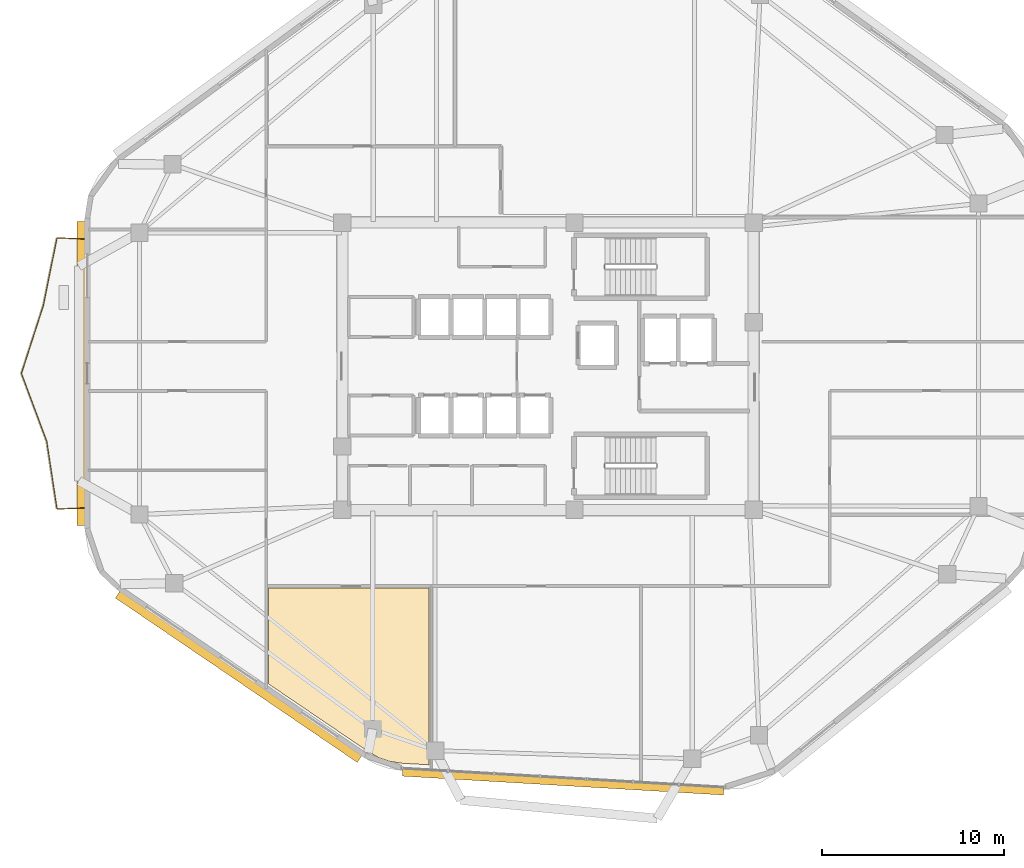
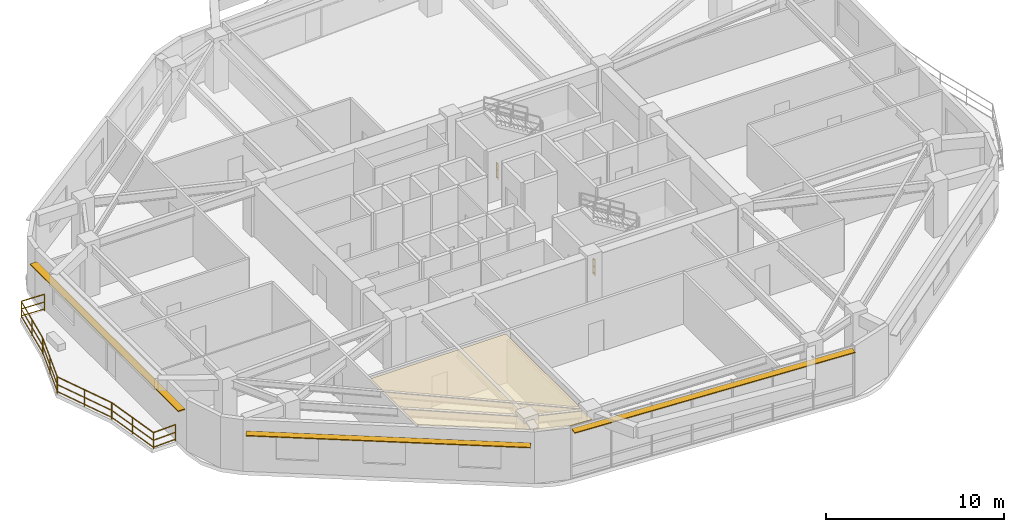
# One storey, part 12 of 14: 8 railings, 3 shading devices, 1 covering.
"""IFC4 building model written with IfcOpenShell, lengths in metres."""

import ifcopenshell
import ifcopenshell.guid

model = None  # the IFC model being written
_history = None  # IfcOwnerHistory: only IFC2X3 demands one
_inside = {}  # id of a spatial element -> (the spatial element, [elements in it])
_under = {}  # id of a project, library or spatial element -> (it, [spatial elements below it])
_declared = {}  # id of a project -> (the project, [libraries it declares])
_typed = {}  # id of a type object -> (the type object, [elements of that type])
_made_of = {}  # id of a material, layer set ... -> (it, [elements and type objects made of it])


def new_model(schema):
    """Start an empty IFC model of exactly this schema.

    Asked for "IFC4X3", IfcOpenShell would pick the latest addendum, in which some entities
    have other attributes; the version numbers below select the first issue.
    IFC2X3 requires an IfcOwnerHistory on every rooted entity: one is made here for all.
    """
    global model, _history
    if schema == "IFC4X3":
        model = ifcopenshell.file(schema_version=(4, 3, 0, 0))
    else:
        model = ifcopenshell.file(schema=schema)
    _inside.clear()
    _under.clear()
    _declared.clear()
    _typed.clear()
    _made_of.clear()
    _history = None
    if model.schema == "IFC2X3":
        org = make("IfcOrganization", Name="unknown")
        user = make(
            "IfcPersonAndOrganization",
            ThePerson=make("IfcPerson", FamilyName="unknown"),
            TheOrganization=org,
        )
        app = make(
            "IfcApplication",
            ApplicationDeveloper=org,
            Version="unknown",
            ApplicationFullName="unknown",
            ApplicationIdentifier="unknown",
        )
        _history = make(
            "IfcOwnerHistory",
            OwningUser=user,
            OwningApplication=app,
            ChangeAction="ADDED",
            CreationDate=0,
        )
    return model


def make(cls, **values):
    """One entity of the class cls with the attributes given. An attribute that is None is left unset."""
    return model.create_entity(
        cls, **{name: value for name, value in values.items() if value is not None}
    )


def rooted(cls, **values):
    """An entity with a GlobalId (a new one), such as an element, a storey or a relation."""
    return make(cls, GlobalId=ifcopenshell.guid.new(), OwnerHistory=_history, **values)


def si_unit(unit_type, name, prefix=None):
    """IfcSIUnit, for example si_unit("LENGTHUNIT", "METRE", prefix="MILLI")."""
    return make("IfcSIUnit", UnitType=unit_type, Prefix=prefix, Name=name)


def assignment(units):
    """IfcUnitAssignment: the units of a project."""
    return None if units is None else make("IfcUnitAssignment", Units=units)


def point(xyz):
    """IfcCartesianPoint."""
    return None if xyz is None else make("IfcCartesianPoint", Coordinates=xyz)


def direction(xyz):
    """IfcDirection."""
    return None if xyz is None else make("IfcDirection", DirectionRatios=xyz)


def frame(location, z_axis=None, x_axis=None):
    """IfcAxis2Placement3D, a coordinate frame: its origin and axes. An axis left out is left unset."""
    return make(
        "IfcAxis2Placement3D",
        Location=point(location),
        Axis=direction(z_axis),
        RefDirection=direction(x_axis),
    )


def frame_2d(location, x_axis=None):
    """IfcAxis2Placement2D, a coordinate frame in the plane: its origin and x axis."""
    return make(
        "IfcAxis2Placement2D", Location=point(location), RefDirection=direction(x_axis)
    )


def origin():
    """The frame at (0, 0, 0) with its axes left unset."""
    return frame((0.0, 0.0, 0.0))


def origin_2d():
    """The frame at (0, 0) in the plane with its x axis left unset."""
    return frame_2d((0.0, 0.0))


def place(relative_to, where):
    """IfcLocalPlacement: puts the frame where relative to a parent placement (None: the world)."""
    return make(
        "IfcLocalPlacement", PlacementRelTo=relative_to, RelativePlacement=where
    )


def context(
    kind, dimensions, precision=None, world=None, true_north=None, identifier=None
):
    """IfcGeometricRepresentationContext, for example the 3D "Model" context."""
    return make(
        "IfcGeometricRepresentationContext",
        ContextIdentifier=identifier,
        ContextType=kind,
        CoordinateSpaceDimension=dimensions,
        Precision=precision,
        WorldCoordinateSystem=world,
        TrueNorth=true_north,
    )


def subcontext(parent, identifier, kind, view, scale=None):
    """IfcGeometricRepresentationSubContext, for example "Body" below "Model"."""
    return make(
        "IfcGeometricRepresentationSubContext",
        ContextIdentifier=identifier,
        ContextType=kind,
        ParentContext=parent,
        TargetScale=scale,
        TargetView=view,
    )


def project(units=None, contexts=None):
    """IfcProject with its units and contexts."""
    return rooted(
        "IfcProject",
        Name="project",
        RepresentationContexts=contexts,
        UnitsInContext=assignment(units),
    )


def spatial(cls, under=None, at=None, **own):
    """A site, building, storey or space (cls), placed at a placement, below another one or the project."""
    s = rooted(cls, ObjectPlacement=at, **own)
    if under is not None:
        _under.setdefault(under.id(), (under, []))[1].append(s)
    return s


def polyline(points):
    """IfcPolyline through the points."""
    return make("IfcPolyline", Points=[point(p) for p in points])


def profile(cls, at=None, kind="AREA", **sizes):
    """A parametric profile (cls). Its sizes go by their IFC names, for example OverallWidth=200.0."""
    return make(cls, ProfileType=kind, Position=at, **sizes)


def rectangle(**sizes):
    """IfcRectangleProfileDef."""
    return profile("IfcRectangleProfileDef", **sizes)


def outline(outer, holes=None, kind="AREA"):
    """IfcArbitraryClosedProfileDef: a profile drawn as a closed curve; with holes, ...WithVoids."""
    if holes is None:
        return make("IfcArbitraryClosedProfileDef", ProfileType=kind, OuterCurve=outer)
    return make(
        "IfcArbitraryProfileDefWithVoids",
        ProfileType=kind,
        OuterCurve=outer,
        InnerCurves=holes,
    )


def extrude(swept, where, along, depth):
    """IfcExtrudedAreaSolid: the profile swept, set in the frame where, extruded along a direction by depth."""
    return make(
        "IfcExtrudedAreaSolid",
        SweptArea=swept,
        Position=where,
        ExtrudedDirection=direction(along),
        Depth=depth,
    )


def shape(context_of_items, identifier, shape_type, items):
    """IfcShapeRepresentation: the items that make up one representation, for example the "Body"."""
    return make(
        "IfcShapeRepresentation",
        ContextOfItems=context_of_items,
        RepresentationIdentifier=identifier,
        RepresentationType=shape_type,
        Items=items,
    )


def material(Name=None, Category=None):
    """IfcMaterial."""
    return make("IfcMaterial", Name=Name, Category=Category)


def layer(
    of_material, thickness, ventilated=None, Name=None, Category=None, Priority=None
):
    """IfcMaterialLayer: one layer of a wall or slab, of a material (None: an air gap)."""
    return make(
        "IfcMaterialLayer",
        Material=of_material,
        LayerThickness=thickness,
        IsVentilated=ventilated,
        Name=Name,
        Category=Category,
        Priority=Priority,
    )


def layer_set(layers, Name=None):
    """IfcMaterialLayerSet."""
    return make("IfcMaterialLayerSet", MaterialLayers=layers, LayerSetName=Name)


def made_of(thing, what):
    """Note that an element or type object is made of a material, layer set ...; save() writes the relation."""
    if what is not None:
        _made_of.setdefault(what.id(), (what, []))[1].append(thing)
    return thing


def type_object(cls, material=None, **own):
    """A type object (cls), such as IfcWallType, which elements share."""
    return made_of(rooted(cls, **own), material)


def element(
    cls,
    number,
    at=None,
    inside=None,
    cuts=None,
    type_object=None,
    material=None,
    context=None,
    identifier="Body",
    shape_type=None,
    held_by="IfcProductDefinitionShape",
    body=None,
    shapes=None,
    **own,
):
    """One element of the class cls, such as IfcWall. Its Tag is "e" and its number.

    at: its placement. inside: the storey or other place that contains it. cuts: it is an
    opening in that element (IfcRelVoidsElement). A single representation is given by context,
    identifier, shape_type and body (its items); several are given by shapes. held_by: the class
    of the entity that holds the representations. save() writes the other relations.
    """
    e = rooted(cls, Tag="e%d" % number, ObjectPlacement=at, **own)
    if body is not None:
        shapes = [shape(context, identifier, shape_type, body)]
    if shapes is not None:
        e.Representation = make(held_by, Representations=shapes)
    if inside is not None:
        _inside.setdefault(inside.id(), (inside, []))[1].append(e)
    if cuts is not None:
        rooted(
            "IfcRelVoidsElement", RelatingBuildingElement=cuts, RelatedOpeningElement=e
        )
    if type_object is not None:
        _typed.setdefault(type_object.id(), (type_object, []))[1].append(e)
    return made_of(e, material)


def aggregate(whole, parts):
    """IfcRelAggregates: a whole, such as a stair, and the parts it consists of."""
    return rooted("IfcRelAggregates", RelatingObject=whole, RelatedObjects=parts)


def save(model, path):
    """Write the relations noted so far, then the file.

    IfcRelAggregates (storeys below a building ...), IfcRelContainedInSpatialStructure (elements
    in a storey), IfcRelDefinesByType, IfcRelAssociatesMaterial and IfcRelDeclares: one each for
    every whole, place, type object, material and project.
    """
    for whole, parts in _under.values():
        aggregate(whole, parts)
    for where, things in _inside.values():
        rooted(
            "IfcRelContainedInSpatialStructure",
            RelatedElements=things,
            RelatingStructure=where,
        )
    for kind, things in _typed.values():
        rooted("IfcRelDefinesByType", RelatedObjects=things, RelatingType=kind)
    for what, things in _made_of.values():
        rooted("IfcRelAssociatesMaterial", RelatedObjects=things, RelatingMaterial=what)
    for by, libraries in _declared.values():
        rooted("IfcRelDeclares", RelatingContext=by, RelatedDefinitions=libraries)
    model.write(path)


model = new_model("IFC4")

# Units and contexts
model_context = context("Model", 3, precision=1e-05, world=origin(), true_north=direction((0.0, 1.0)))
body_context = subcontext(model_context, "Body", "Model", "MODEL_VIEW")
ifc_project = project(units=[si_unit("LENGTHUNIT", "METRE"), si_unit("AREAUNIT", "SQUARE_METRE"), si_unit("VOLUMEUNIT", "CUBIC_METRE"), si_unit("PLANEANGLEUNIT", "RADIAN"), si_unit("MASSUNIT", "GRAM", prefix="KILO")], contexts=[model_context])

# Site, building, storey
site_placement = place(None, origin())
site = spatial("IfcSite", under=ifc_project, at=site_placement, CompositionType="ELEMENT")
building_placement = place(site_placement, origin())
building = spatial("IfcBuilding", under=site, at=building_placement, Name="Zulverin Broadcast Headquarters", CompositionType="ELEMENT")
storey_placement = place(building_placement, frame((0.0, 0.0, 208.60009765625)))
storey = spatial("IfcBuildingStorey", under=building, at=storey_placement, Name="L53", CompositionType="ELEMENT", Elevation=208.60009765625)

# Covering
ifc_material_1 = material(Name="Perforated pale-metal acoustic baffle ceiling", Category="aluminium")
ifc_layer_1 = layer(ifc_material_1, 0.0400390625, Name="Perforated pale-metal acoustic baffle ceiling", Category="aluminium")
ifc_layer_set_1 = layer_set([ifc_layer_1], Name="Perforated pale-metal acoustic baffle ceiling")
covering_type = type_object("IfcCoveringType", Name="COV-CEIL-ACOU", PredefinedType="CEILING", material=ifc_layer_set_1)
covering_placement = place(storey_placement, frame((0.0, 0.0, 3.35986328125)))
element("IfcCovering", 1, at=covering_placement, inside=storey, type_object=covering_type, Name="L53 Acoustic Baffle Ceiling 03", PredefinedType="CEILING", context=body_context, shape_type="SweptSolid", body=[
    extrude(outline(polyline([(27.73193359375, 3.739990234375), (28.343994140625, 3.531982421875), (29.0, 3.431884765625), (30.47998046875, 3.347900390625), (30.47998046875, 13.031982421875), (21.66796875, 13.031982421875), (21.66796875, 7.7880859375), (27.156005859375, 4.06396484375), (27.73193359375, 3.739990234375)])), origin(), (0.0, 0.0, 1.0), 0.0400390625),
])

# Railings
ifc_material_2 = material(Name="Brushed stainless steel & laminated glass balustrade", Category="steel")
railing_type_1 = type_object("IfcRailingType", Name="RL-GUARD-1150", PredefinedType="GUARDRAIL", material=ifc_material_2)
railing_1_placement = place(storey_placement, frame((11.56005859375, 32.180419921875, 0.0)))
element("IfcRailing", 2, at=railing_1_placement, inside=storey, type_object=railing_type_1, Name="L53 Vertical-Forest Balcony Guardrail BAL_W Segment 01", PredefinedType="GUARDRAIL", context=body_context, shape_type="SweptSolid", body=[
    extrude(rectangle(XDim=0.048095703125, YDim=0.048095703125, at=origin_2d()), frame((0.0, 0.0, 1.1259765625), z_axis=(-0.999181155166, 0.040460093435, 0.0), x_axis=(-0.040460093435, -0.999181155166, 0.0)), (0.0, 0.0, 1.0), 1.46630859375),
    extrude(rectangle(XDim=0.0419921875, YDim=0.0419921875, at=origin_2d()), frame((0.0, 0.0, 0.597900390625), z_axis=(-0.999181155166, 0.040460093435, 0.0), x_axis=(-0.040460093435, -0.999181155166, 0.0)), (0.0, 0.0, 1.0), 1.46630859375),
    extrude(rectangle(XDim=0.0419921875, YDim=0.0419921875, at=origin_2d()), frame((0.0, 0.0, 0.1201171875), z_axis=(-0.999181155166, 0.040460093435, 0.0), x_axis=(-0.040460093435, -0.999181155166, 0.0)), (0.0, 0.0, 1.0), 1.46630859375),
    extrude(rectangle(XDim=0.0419921875, YDim=0.0419921875, at=origin_2d()), origin(), (0.0, 0.0, 1.0), 1.101806640625),
    extrude(rectangle(XDim=0.0419921875, YDim=0.0419921875, at=origin_2d()), frame((-1.465087890625, 0.059326171875, 0.0)), (0.0, 0.0, 1.0), 1.101806640625),
])
railing_2_placement = place(storey_placement, frame((10.076904296875, 32.2255859375, 0.0)))
element("IfcRailing", 3, at=railing_2_placement, inside=storey, type_object=railing_type_1, Name="L53 Vertical-Forest Balcony Guardrail BAL_W Segment 02", PredefinedType="GUARDRAIL", context=body_context, shape_type="SweptSolid", body=[
    extrude(rectangle(XDim=0.048095703125, YDim=0.048095703125, at=origin_2d()), frame((0.0, 0.0, 1.1259765625), z_axis=(-0.197937321171, -0.98021467898, 0.0), x_axis=(0.98021467898, -0.197937321171, 0.0)), (0.0, 0.0, 1.0), 3.76318359375),
    extrude(rectangle(XDim=0.0419921875, YDim=0.0419921875, at=origin_2d()), frame((0.0, 0.0, 0.597900390625), z_axis=(-0.197937321171, -0.98021467898, 0.0), x_axis=(0.98021467898, -0.197937321171, 0.0)), (0.0, 0.0, 1.0), 3.76318359375),
    extrude(rectangle(XDim=0.0419921875, YDim=0.0419921875, at=origin_2d()), frame((0.0, 0.0, 0.1201171875), z_axis=(-0.197937321171, -0.98021467898, 0.0), x_axis=(0.98021467898, -0.197937321171, 0.0)), (0.0, 0.0, 1.0), 3.76318359375),
    extrude(rectangle(XDim=0.0419921875, YDim=0.0419921875, at=origin_2d()), origin(), (0.0, 0.0, 1.0), 1.101806640625),
    extrude(rectangle(XDim=0.0419921875, YDim=0.0419921875, at=origin_2d()), frame((-0.37255859375, -1.84423828125, 0.0)), (0.0, 0.0, 1.0), 1.101806640625),
    extrude(rectangle(XDim=0.0419921875, YDim=0.0419921875, at=origin_2d()), frame((-0.744873046875, -3.688720703125, 0.0)), (0.0, 0.0, 1.0), 1.101806640625),
])
railing_3_placement = place(storey_placement, frame((9.324462890625, 28.5078125, 0.0)))
element("IfcRailing", 4, at=railing_3_placement, inside=storey, type_object=railing_type_1, Name="L53 Vertical-Forest Balcony Guardrail BAL_W Segment 03", PredefinedType="GUARDRAIL", context=body_context, shape_type="SweptSolid", body=[
    extrude(rectangle(XDim=0.048095703125, YDim=0.048095703125, at=origin_2d()), frame((0.0, 0.0, 1.1259765625), z_axis=(-0.306954937598, -0.951724049441, 0.0), x_axis=(0.951724049441, -0.306954937598, 0.0)), (0.0, 0.0, 1.0), 3.876708984375),
    extrude(rectangle(XDim=0.0419921875, YDim=0.0419921875, at=origin_2d()), frame((0.0, 0.0, 0.597900390625), z_axis=(-0.306954937598, -0.951724049441, 0.0), x_axis=(0.951724049441, -0.306954937598, 0.0)), (0.0, 0.0, 1.0), 3.876708984375),
    extrude(rectangle(XDim=0.0419921875, YDim=0.0419921875, at=origin_2d()), frame((0.0, 0.0, 0.1201171875), z_axis=(-0.306954937598, -0.951724049441, 0.0), x_axis=(0.951724049441, -0.306954937598, 0.0)), (0.0, 0.0, 1.0), 3.876708984375),
    extrude(rectangle(XDim=0.0419921875, YDim=0.0419921875, at=origin_2d()), origin(), (0.0, 0.0, 1.0), 1.101806640625),
    extrude(rectangle(XDim=0.0419921875, YDim=0.0419921875, at=origin_2d()), frame((-0.594970703125, -1.8447265625, 0.0)), (0.0, 0.0, 1.0), 1.101806640625),
    extrude(rectangle(XDim=0.0419921875, YDim=0.0419921875, at=origin_2d()), frame((-1.18994140625, -3.689453125, 0.0)), (0.0, 0.0, 1.0), 1.101806640625),
])
railing_4_placement = place(storey_placement, frame((8.13525390625, 24.789794921875, 0.0)))
element("IfcRailing", 5, at=railing_4_placement, inside=storey, type_object=railing_type_1, Name="L53 Vertical-Forest Balcony Guardrail BAL_W Segment 04", PredefinedType="GUARDRAIL", context=body_context, shape_type="SweptSolid", body=[
    extrude(rectangle(XDim=0.048095703125, YDim=0.048095703125, at=origin_2d()), frame((0.0, 0.0, 1.1259765625), z_axis=(0.349506053254, -0.936934105868, 0.0), x_axis=(0.936934105868, 0.349506053254, 0.0)), (0.0, 0.0, 1.0), 3.938232421875),
    extrude(rectangle(XDim=0.0419921875, YDim=0.0419921875, at=origin_2d()), frame((0.0, 0.0, 0.597900390625), z_axis=(0.349506053254, -0.936934105868, 0.0), x_axis=(0.936934105868, 0.349506053254, 0.0)), (0.0, 0.0, 1.0), 3.938232421875),
    extrude(rectangle(XDim=0.0419921875, YDim=0.0419921875, at=origin_2d()), frame((0.0, 0.0, 0.1201171875), z_axis=(0.349506053254, -0.936934105868, 0.0), x_axis=(0.936934105868, 0.349506053254, 0.0)), (0.0, 0.0, 1.0), 3.938232421875),
    extrude(rectangle(XDim=0.0419921875, YDim=0.0419921875, at=origin_2d()), origin(), (0.0, 0.0, 1.0), 1.101806640625),
    extrude(rectangle(XDim=0.0419921875, YDim=0.0419921875, at=origin_2d()), frame((0.688232421875, -1.844970703125, 0.0)), (0.0, 0.0, 1.0), 1.101806640625),
    extrude(rectangle(XDim=0.0419921875, YDim=0.0419921875, at=origin_2d()), frame((1.37646484375, -3.68994140625, 0.0)), (0.0, 0.0, 1.0), 1.101806640625),
])
railing_5_placement = place(storey_placement, frame((9.51904296875, 21.071044921875, 0.0)))
element("IfcRailing", 6, at=railing_5_placement, inside=storey, type_object=railing_type_1, Name="L53 Vertical-Forest Balcony Guardrail BAL_W Segment 05", PredefinedType="GUARDRAIL", context=body_context, shape_type="SweptSolid", body=[
    extrude(rectangle(XDim=0.048095703125, YDim=0.048095703125, at=origin_2d()), frame((0.0, 0.0, 1.1259765625), z_axis=(0.149789871424, -0.988717853798, 0.0), x_axis=(0.988717853798, 0.149789871424, 0.0)), (0.0, 0.0, 1.0), 3.730712890625),
    extrude(rectangle(XDim=0.0419921875, YDim=0.0419921875, at=origin_2d()), frame((0.0, 0.0, 0.597900390625), z_axis=(0.149789871424, -0.988717853798, 0.0), x_axis=(0.988717853798, 0.149789871424, 0.0)), (0.0, 0.0, 1.0), 3.730712890625),
    extrude(rectangle(XDim=0.0419921875, YDim=0.0419921875, at=origin_2d()), frame((0.0, 0.0, 0.1201171875), z_axis=(0.149789871424, -0.988717853798, 0.0), x_axis=(0.988717853798, 0.149789871424, 0.0)), (0.0, 0.0, 1.0), 3.730712890625),
    extrude(rectangle(XDim=0.0419921875, YDim=0.0419921875, at=origin_2d()), origin(), (0.0, 0.0, 1.0), 1.101806640625),
    extrude(rectangle(XDim=0.0419921875, YDim=0.0419921875, at=origin_2d()), frame((0.279296875, -1.84423828125, 0.0)), (0.0, 0.0, 1.0), 1.101806640625),
    extrude(rectangle(XDim=0.0419921875, YDim=0.0419921875, at=origin_2d()), frame((0.558837890625, -3.688720703125, 0.0)), (0.0, 0.0, 1.0), 1.101806640625),
])
railing_6_placement = place(storey_placement, frame((10.094970703125, 17.3681640625, 0.0)))
element("IfcRailing", 7, at=railing_6_placement, inside=storey, type_object=railing_type_1, Name="L53 Vertical-Forest Balcony Guardrail BAL_W Segment 06", PredefinedType="GUARDRAIL", context=body_context, shape_type="SweptSolid", body=[
    extrude(rectangle(XDim=0.048095703125, YDim=0.048095703125, at=origin_2d()), frame((0.0, 0.0, 1.1259765625), z_axis=(0.999181155166, 0.040460093435, 0.0), x_axis=(-0.040460093435, 0.999181155166, 0.0)), (0.0, 0.0, 1.0), 1.46630859375),
    extrude(rectangle(XDim=0.0419921875, YDim=0.0419921875, at=origin_2d()), frame((0.0, 0.0, 0.597900390625), z_axis=(0.999181155166, 0.040460093435, 0.0), x_axis=(-0.040460093435, 0.999181155166, 0.0)), (0.0, 0.0, 1.0), 1.46630859375),
    extrude(rectangle(XDim=0.0419921875, YDim=0.0419921875, at=origin_2d()), frame((0.0, 0.0, 0.1201171875), z_axis=(0.999181155166, 0.040460093435, 0.0), x_axis=(-0.040460093435, 0.999181155166, 0.0)), (0.0, 0.0, 1.0), 1.46630859375),
    extrude(rectangle(XDim=0.0419921875, YDim=0.0419921875, at=origin_2d()), origin(), (0.0, 0.0, 1.0), 1.101806640625),
    extrude(rectangle(XDim=0.0419921875, YDim=0.0419921875, at=origin_2d()), frame((1.465087890625, 0.059326171875, 0.0)), (0.0, 0.0, 1.0), 1.101806640625),
])
ifc_material_3 = material(Name="Painted galvanized steel tubular guardrail S355JR", Category="steel")
railing_type_2 = type_object("IfcRailingType", Name="RL-ST-GUARD", PredefinedType="GUARDRAIL", material=ifc_material_3)
railing_7_placement = place(storey_placement, frame((40.080078125, 30.550048828125, 0.0)))
element("IfcRailing", 8, at=railing_7_placement, inside=storey, type_object=railing_type_2, Name="L53 ST-1 stair guard 4", PredefinedType="GUARDRAIL", context=body_context, shape_type="SweptSolid", body=[
    extrude(rectangle(XDim=0.048095703125, YDim=0.048095703125, at=origin_2d()), frame((0.0, 0.0, 1.076171875), z_axis=(0.0, 1.0, 0.0), x_axis=(-1.0, 0.0, 0.0)), (0.0, 0.0, 1.0), 0.199951171875),
    extrude(rectangle(XDim=0.0419921875, YDim=0.0419921875, at=origin_2d()), frame((0.0, 0.0, 0.572021484375), z_axis=(0.0, 1.0, 0.0), x_axis=(-1.0, 0.0, 0.0)), (0.0, 0.0, 1.0), 0.199951171875),
    extrude(rectangle(XDim=0.0419921875, YDim=0.0419921875, at=origin_2d()), frame((0.0, 0.0, 0.1201171875), z_axis=(0.0, 1.0, 0.0), x_axis=(-1.0, 0.0, 0.0)), (0.0, 0.0, 1.0), 0.199951171875),
    extrude(rectangle(XDim=0.0419921875, YDim=0.0419921875, at=origin_2d()), origin(), (0.0, 0.0, 1.0), 1.052001953125),
    extrude(rectangle(XDim=0.0419921875, YDim=0.0419921875, at=origin_2d()), frame((0.0, 0.199951171875, 0.0)), (0.0, 0.0, 1.0), 1.052001953125),
])
railing_8_placement = place(storey_placement, frame((40.080078125, 19.64990234375, 0.0)))
element("IfcRailing", 9, at=railing_8_placement, inside=storey, type_object=railing_type_2, Name="L53 ST-2 stair guard 4", PredefinedType="GUARDRAIL", context=body_context, shape_type="SweptSolid", body=[
    extrude(rectangle(XDim=0.048095703125, YDim=0.048095703125, at=origin_2d()), frame((0.0, 0.0, 1.076171875), z_axis=(0.0, 1.0, 0.0), x_axis=(-1.0, 0.0, 0.0)), (0.0, 0.0, 1.0), 0.2001953125),
    extrude(rectangle(XDim=0.0419921875, YDim=0.0419921875, at=origin_2d()), frame((0.0, 0.0, 0.572021484375), z_axis=(0.0, 1.0, 0.0), x_axis=(-1.0, 0.0, 0.0)), (0.0, 0.0, 1.0), 0.2001953125),
    extrude(rectangle(XDim=0.0419921875, YDim=0.0419921875, at=origin_2d()), frame((0.0, 0.0, 0.1201171875), z_axis=(0.0, 1.0, 0.0), x_axis=(-1.0, 0.0, 0.0)), (0.0, 0.0, 1.0), 0.2001953125),
    extrude(rectangle(XDim=0.0419921875, YDim=0.0419921875, at=origin_2d()), origin(), (0.0, 0.0, 1.0), 1.052001953125),
    extrude(rectangle(XDim=0.0419921875, YDim=0.0419921875, at=origin_2d()), frame((0.0, 0.2001953125, 0.0)), (0.0, 0.0, 1.0), 1.052001953125),
])

# Shading devices
ifc_material_4 = material(Name="Anodized pale-metal aluminium sunshade", Category="aluminium")
ifc_layer_2 = layer(ifc_material_4, 0.06005859375, Name="Anodized pale-metal aluminium sunshade", Category="aluminium")
ifc_layer_set_2 = layer_set([ifc_layer_2], Name="Anodized pale-metal aluminium sunshade")
shading_device_type = type_object("IfcShadingDeviceType", Name="SS-01_PALE_METAL_ALUMINIUM_SUNSHADE", PredefinedType="USERDEFINED", material=ifc_layer_set_2)
shading_device_1_placement = place(storey_placement, frame((37.82861328125, 2.43310546875, 3.309814453125), z_axis=(0.0, 0.0, 1.0), x_axis=(0.998274435348, -0.058720965002, 0.0)))
element("IfcShadingDevice", 10, at=shading_device_1_placement, inside=storey, type_object=shading_device_type, Name="L53 Pale-Metal Horizontal Sunshade Band CW-L53-E1", ObjectType="SUNSHADE", PredefinedType="USERDEFINED", context=body_context, shape_type="SweptSolid", body=[
    extrude(rectangle(XDim=17.642333984375, YDim=0.449951171875, at=origin_2d()), origin(), (0.0, 0.0, 1.0), 0.06005859375),
])
shading_device_2_placement = place(storey_placement, frame((11.39990234375, 24.803955078125, 2.7099609375), z_axis=(0.0, 0.0, 1.0), x_axis=(0.0, -1.0, 0.0)))
element("IfcShadingDevice", 11, at=shading_device_2_placement, inside=storey, type_object=shading_device_type, Name="L53 Horizontal Pale-Metal Sunshade Band 7", ObjectType="SUNSHADE", PredefinedType="USERDEFINED", context=body_context, shape_type="SweptSolid", body=[
    extrude(rectangle(XDim=16.672607421875, YDim=0.449951171875, at=origin_2d()), origin(), (0.0, 0.0, 1.0), 0.06005859375),
])
shading_device_3_placement = place(storey_placement, frame((20.034912109375, 8.17431640625, 2.7099609375), z_axis=(0.0, 0.0, 1.0), x_axis=(0.82702465201, -0.562165656162, 0.0)))
element("IfcShadingDevice", 12, at=shading_device_3_placement, inside=storey, type_object=shading_device_type, Name="L53 Horizontal Pale-Metal Sunshade Band 8", ObjectType="SUNSHADE", PredefinedType="USERDEFINED", context=body_context, shape_type="SweptSolid", body=[
    extrude(rectangle(XDim=16.03515625, YDim=0.449951171875, at=origin_2d()), origin(), (0.0, 0.0, 1.0), 0.06005859375),
])

save(model, "model.ifc")
